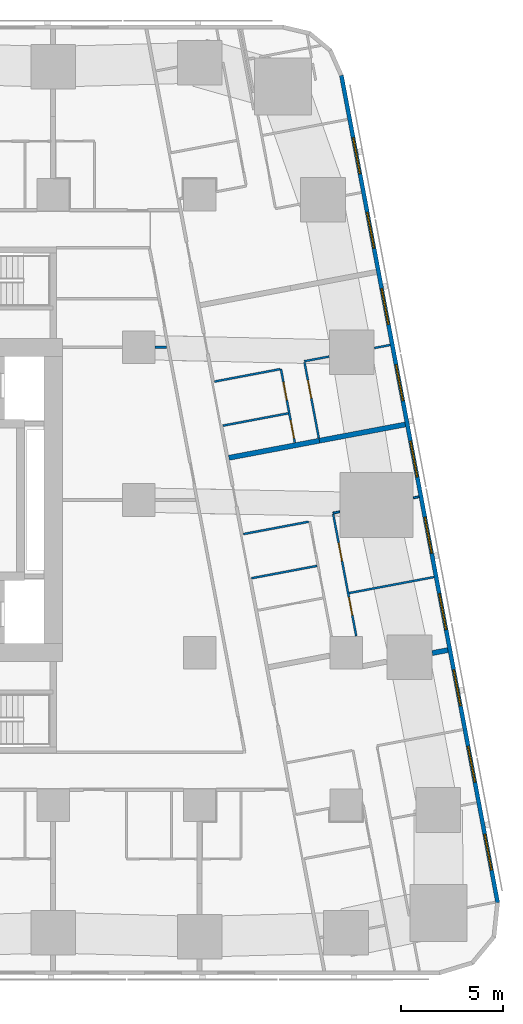
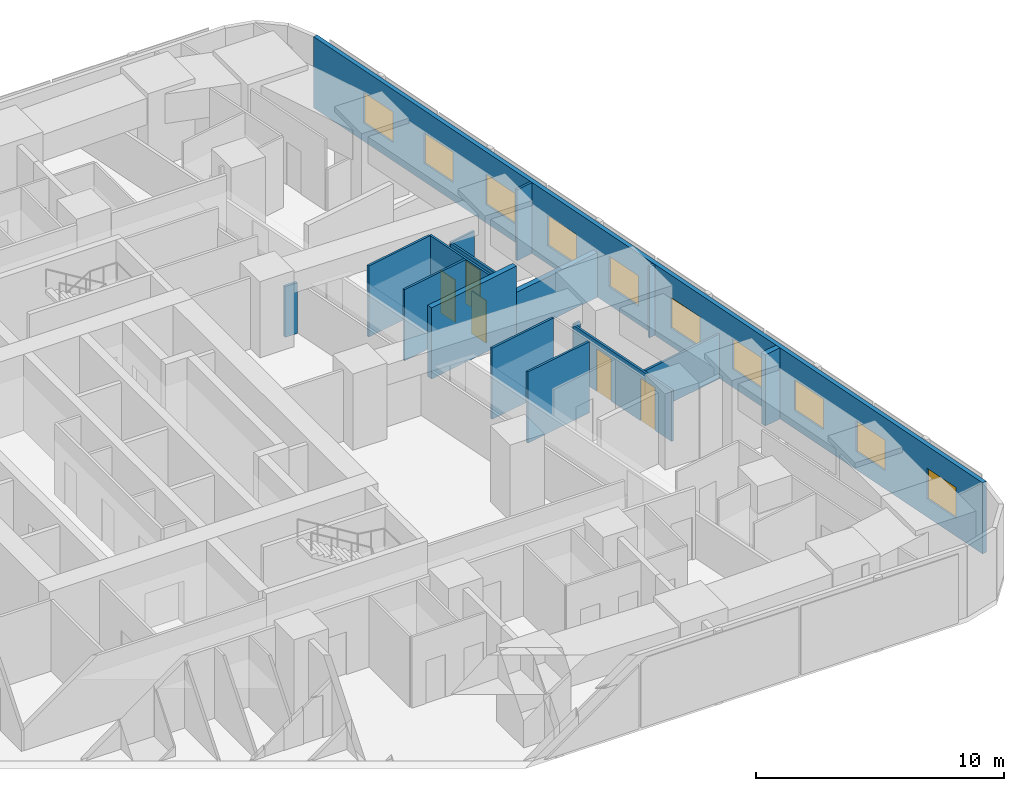
# One storey, part 7 of 14: 17 walls, 10 windows, 5 doors, 15 openings.
"""IFC4 building model written with IfcOpenShell, lengths in metres."""

from ifc_helpers import new_model, si_unit, direction, frame, frame_2d, origin, place, context, subcontext, project, spatial, rectangle, extrude, material, layer, layer_set, type_object, element, fill, save


model = new_model("IFC4")

# Units and contexts
model_context = context("Model", 3, precision=1e-05, world=origin(), true_north=direction((0.0, 1.0)))
body_context = subcontext(model_context, "Body", "Model", "MODEL_VIEW")
ifc_project = project(units=[si_unit("LENGTHUNIT", "METRE"), si_unit("AREAUNIT", "SQUARE_METRE"), si_unit("VOLUMEUNIT", "CUBIC_METRE"), si_unit("PLANEANGLEUNIT", "RADIAN"), si_unit("MASSUNIT", "GRAM", prefix="KILO")], contexts=[model_context])

# Site, building, storey
site_placement = place(None, origin())
site = spatial("IfcSite", under=ifc_project, at=site_placement, CompositionType="ELEMENT")
building_placement = place(site_placement, origin())
building = spatial("IfcBuilding", under=site, at=building_placement, Name="Sheger Commons Tower", CompositionType="ELEMENT")
storey_placement = place(building_placement, frame((0.0, 0.0, 122.89990234375)))
storey = spatial("IfcBuildingStorey", under=building, at=storey_placement, Name="L31", CompositionType="ELEMENT", Elevation=122.89990234375)

# Walls
ifc_material_1 = material(Name="Dense concrete block masonry, plastered both sides (separating wall between flats)", Category="masonry")
ifc_layer_1 = layer(ifc_material_1, 0.25)
ifc_layer_set_1 = layer_set([ifc_layer_1], Name="DEMISING WALL 250")
wall_type_1 = type_object("IfcWallType", Name="DEMISING WALL 250", PredefinedType="SOLIDWALL", material=ifc_layer_set_1)
wall_1_placement = place(storey_placement, frame((46.110107421875, 26.212890625, 0.0), z_axis=(0.0, 0.0, 1.0), x_axis=(-0.982633535512, -0.185556823879, 0.0)))
element("IfcWall", 1, at=wall_1_placement, inside=storey, type_object=wall_type_1, Name="Demising wall L31", PredefinedType="SOLIDWALL", context=body_context, shape_type="SweptSolid", body=[
    extrude(rectangle(XDim=4.2998046875, YDim=0.25, at=frame_2d((2.14990234375, 0.0))), origin(), (0.0, 0.0, 1.0), 2.2001953125),
])
wall_2_placement = place(storey_placement, frame((41.885009765625, 25.4150390625, 0.0), z_axis=(0.0, 0.0, 1.0), x_axis=(-0.982612837616, -0.185666398014, 0.0)))
element("IfcWall", 2, at=wall_2_placement, inside=storey, type_object=wall_type_1, Name="Demising wall L31", PredefinedType="SOLIDWALL", context=body_context, shape_type="SweptSolid", body=[
    extrude(rectangle(XDim=4.524658203125, YDim=0.25, at=frame_2d((2.26220703125, 0.0))), origin(), (0.0, 0.0, 1.0), 3.5),
])
wall_3_placement = place(storey_placement, frame((48.2060546875, 15.1201171875, 0.0), z_axis=(0.0, 0.0, 1.0), x_axis=(-0.982638023929, -0.185533053469, 0.0)))
element("IfcWall", 3, at=wall_3_placement, inside=storey, type_object=wall_type_1, Name="Demising wall L31", PredefinedType="SOLIDWALL", context=body_context, shape_type="SweptSolid", body=[
    extrude(rectangle(XDim=0.78173828125, YDim=0.25, at=frame_2d((0.390869140625, 0.0))), origin(), (0.0, 0.0, 1.0), 3.5),
])

# Wall, openings, windows
ifc_material_2 = material(Name="Rendered concrete block masonry, dark grey", Category="masonry")
ifc_layer_2 = layer(ifc_material_2, 0.199951171875)
ifc_layer_set_2 = layer_set([ifc_layer_2], Name="FACADE WALL 200")
wall_type_2 = type_object("IfcWallType", Name="FACADE WALL 200", PredefinedType="SOLIDWALL", material=ifc_layer_set_2)
wall_4_placement = place(storey_placement, frame((50.653076171875, 2.702880859375, 0.0), z_axis=(0.0, 0.0, 1.0), x_axis=(-0.185612026696, 0.982623109613, 0.0)))
wall_4 = element("IfcWall", 4, at=wall_4_placement, inside=storey, type_object=wall_type_2, Name="Facade wall L31", PredefinedType="SOLIDWALL", context=body_context, shape_type="SweptSolid", body=[
    extrude(rectangle(XDim=41.393310546875, YDim=0.199951171875, at=frame_2d((20.69677734375, 0.0))), origin(), (0.0, 0.0, 1.0), 3.5),
])
opening_1_placement = place(wall_4_placement, frame((1.633056640625, 0.0, 0.89990234375)))
opening_1 = element("IfcOpeningElement", 5, at=opening_1_placement, cuts=wall_4, Name="Opening W2", PredefinedType="OPENING", context=body_context, shape_type="SweptSolid", body=[
    extrude(rectangle(XDim=1.800048828125, YDim=1.5, at=frame_2d((0.89990234375, 0.75))), frame((0.0, 0.10986328125, 0.0), z_axis=(0.0, -1.0, 0.0), x_axis=(1.0, 0.0, 0.0)), (0.0, 0.0, 1.0), 0.219970703125),
])
opening_2_placement = place(wall_4_placement, frame((6.031982421875, 0.0, 0.89990234375)))
opening_2 = element("IfcOpeningElement", 6, at=opening_2_placement, cuts=wall_4, Name="Opening W2", PredefinedType="OPENING", context=body_context, shape_type="SweptSolid", body=[
    extrude(rectangle(XDim=1.800048828125, YDim=1.5, at=frame_2d((0.89990234375, 0.75))), frame((0.0, 0.10986328125, 0.0), z_axis=(0.0, -1.0, 0.0), x_axis=(1.0, 0.0, 0.0)), (0.0, 0.0, 1.0), 0.219970703125),
])
opening_3_placement = place(wall_4_placement, frame((9.847900390625, 0.0, 0.89990234375)))
opening_3 = element("IfcOpeningElement", 7, at=opening_3_placement, cuts=wall_4, Name="Opening W2", PredefinedType="OPENING", context=body_context, shape_type="SweptSolid", body=[
    extrude(rectangle(XDim=1.800048828125, YDim=1.5, at=frame_2d((0.89990234375, 0.75))), frame((0.0, 0.10986328125, 0.0), z_axis=(0.0, -1.0, 0.0), x_axis=(1.0, 0.0, 0.0)), (0.0, 0.0, 1.0), 0.219970703125),
])
opening_4_placement = place(wall_4_placement, frame((13.6640625, 0.0, 0.89990234375)))
opening_4 = element("IfcOpeningElement", 8, at=opening_4_placement, cuts=wall_4, Name="Opening W2", PredefinedType="OPENING", context=body_context, shape_type="SweptSolid", body=[
    extrude(rectangle(XDim=1.800048828125, YDim=1.5, at=frame_2d((0.89990234375, 0.75))), frame((0.0, 0.10986328125, 0.0), z_axis=(0.0, -1.0, 0.0), x_axis=(1.0, 0.0, 0.0)), (0.0, 0.0, 1.0), 0.219970703125),
])
opening_5_placement = place(wall_4_placement, frame((17.48095703125, 0.0, 0.89990234375)))
opening_5 = element("IfcOpeningElement", 9, at=opening_5_placement, cuts=wall_4, Name="Opening W2", PredefinedType="OPENING", context=body_context, shape_type="SweptSolid", body=[
    extrude(rectangle(XDim=1.800048828125, YDim=1.5, at=frame_2d((0.89990234375, 0.75))), frame((0.0, 0.10986328125, 0.0), z_axis=(0.0, -1.0, 0.0), x_axis=(1.0, 0.0, 0.0)), (0.0, 0.0, 1.0), 0.219970703125),
])
opening_6_placement = place(wall_4_placement, frame((21.297119140625, 0.0, 0.89990234375)))
opening_6 = element("IfcOpeningElement", 10, at=opening_6_placement, cuts=wall_4, Name="Opening W2", PredefinedType="OPENING", context=body_context, shape_type="SweptSolid", body=[
    extrude(rectangle(XDim=1.800048828125, YDim=1.5, at=frame_2d((0.89990234375, 0.75))), frame((0.0, 0.10986328125, 0.0), z_axis=(0.0, -1.0, 0.0), x_axis=(1.0, 0.0, 0.0)), (0.0, 0.0, 1.0), 0.219970703125),
])
opening_7_placement = place(wall_4_placement, frame((25.113037109375, 0.0, 0.89990234375)))
opening_7 = element("IfcOpeningElement", 11, at=opening_7_placement, cuts=wall_4, Name="Opening W2", PredefinedType="OPENING", context=body_context, shape_type="SweptSolid", body=[
    extrude(rectangle(XDim=1.800048828125, YDim=1.5, at=frame_2d((0.89990234375, 0.75))), frame((0.0, 0.10986328125, 0.0), z_axis=(0.0, -1.0, 0.0), x_axis=(1.0, 0.0, 0.0)), (0.0, 0.0, 1.0), 0.219970703125),
])
opening_8_placement = place(wall_4_placement, frame((28.929931640625, 0.0, 0.89990234375)))
opening_8 = element("IfcOpeningElement", 12, at=opening_8_placement, cuts=wall_4, Name="Opening W2", PredefinedType="OPENING", context=body_context, shape_type="SweptSolid", body=[
    extrude(rectangle(XDim=1.800048828125, YDim=1.5, at=frame_2d((0.89990234375, 0.75))), frame((0.0, 0.10986328125, 0.0), z_axis=(0.0, -1.0, 0.0), x_axis=(1.0, 0.0, 0.0)), (0.0, 0.0, 1.0), 0.219970703125),
])
opening_9_placement = place(wall_4_placement, frame((32.74609375, 0.0, 0.89990234375)))
opening_9 = element("IfcOpeningElement", 13, at=opening_9_placement, cuts=wall_4, Name="Opening W2", PredefinedType="OPENING", context=body_context, shape_type="SweptSolid", body=[
    extrude(rectangle(XDim=1.800048828125, YDim=1.5, at=frame_2d((0.89990234375, 0.75))), frame((0.0, 0.10986328125, 0.0), z_axis=(0.0, -1.0, 0.0), x_axis=(1.0, 0.0, 0.0)), (0.0, 0.0, 1.0), 0.219970703125),
])
opening_10_placement = place(wall_4_placement, frame((36.48095703125, 0.0, 0.89990234375)))
opening_10 = element("IfcOpeningElement", 14, at=opening_10_placement, cuts=wall_4, Name="Opening W2", PredefinedType="OPENING", context=body_context, shape_type="SweptSolid", body=[
    extrude(rectangle(XDim=1.800048828125, YDim=1.5, at=frame_2d((0.89990234375, 0.75))), frame((0.0, 0.10986328125, 0.0), z_axis=(0.0, -1.0, 0.0), x_axis=(1.0, 0.0, 0.0)), (0.0, 0.0, 1.0), 0.219970703125),
])
ifc_material_3 = material(Name="Black aluminium frame, dark tinted double glazing", Category="aluminium")
window_type = type_object("IfcWindowType", Name="WINDOW W2 1800x1500", PartitioningType="SINGLE_PANEL", PredefinedType="WINDOW", material=ifc_material_3)
window_1_placement = place(opening_1_placement, origin())
window_1 = element("IfcWindow", 15, at=window_1_placement, inside=storey, type_object=window_type, Name="Window W2 1800X1500", OverallHeight=1.5, OverallWidth=1.800048828125, PartitioningType="SINGLE_PANEL", PredefinedType="WINDOW", context=body_context, shape_type="SweptSolid", body=[
    extrude(rectangle(XDim=1.800048828125, YDim=1.5, at=frame_2d((0.89990234375, 0.75))), frame((0.0, 0.030029296875, 0.0), z_axis=(0.0, -1.0, 0.0), x_axis=(1.0, 0.0, 0.0)), (0.0, 0.0, 1.0), 0.06005859375),
])
fill(opening_1, window_1)
window_2_placement = place(opening_2_placement, origin())
window_2 = element("IfcWindow", 16, at=window_2_placement, inside=storey, type_object=window_type, Name="Window W2 1800X1500", OverallHeight=1.5, OverallWidth=1.800048828125, PartitioningType="SINGLE_PANEL", PredefinedType="WINDOW", context=body_context, shape_type="SweptSolid", body=[
    extrude(rectangle(XDim=1.800048828125, YDim=1.5, at=frame_2d((0.89990234375, 0.75))), frame((0.0, 0.030029296875, 0.0), z_axis=(0.0, -1.0, 0.0), x_axis=(1.0, 0.0, 0.0)), (0.0, 0.0, 1.0), 0.06005859375),
])
fill(opening_2, window_2)
window_3_placement = place(opening_3_placement, origin())
window_3 = element("IfcWindow", 17, at=window_3_placement, inside=storey, type_object=window_type, Name="Window W2 1800X1500", OverallHeight=1.5, OverallWidth=1.800048828125, PartitioningType="SINGLE_PANEL", PredefinedType="WINDOW", context=body_context, shape_type="SweptSolid", body=[
    extrude(rectangle(XDim=1.800048828125, YDim=1.5, at=frame_2d((0.89990234375, 0.75))), frame((0.0, 0.030029296875, 0.0), z_axis=(0.0, -1.0, 0.0), x_axis=(1.0, 0.0, 0.0)), (0.0, 0.0, 1.0), 0.06005859375),
])
fill(opening_3, window_3)
window_4_placement = place(opening_4_placement, origin())
window_4 = element("IfcWindow", 18, at=window_4_placement, inside=storey, type_object=window_type, Name="Window W2 1800X1500", OverallHeight=1.5, OverallWidth=1.800048828125, PartitioningType="SINGLE_PANEL", PredefinedType="WINDOW", context=body_context, shape_type="SweptSolid", body=[
    extrude(rectangle(XDim=1.800048828125, YDim=1.5, at=frame_2d((0.89990234375, 0.75))), frame((0.0, 0.030029296875, 0.0), z_axis=(0.0, -1.0, 0.0), x_axis=(1.0, 0.0, 0.0)), (0.0, 0.0, 1.0), 0.06005859375),
])
fill(opening_4, window_4)
window_5_placement = place(opening_5_placement, origin())
window_5 = element("IfcWindow", 19, at=window_5_placement, inside=storey, type_object=window_type, Name="Window W2 1800X1500", OverallHeight=1.5, OverallWidth=1.800048828125, PartitioningType="SINGLE_PANEL", PredefinedType="WINDOW", context=body_context, shape_type="SweptSolid", body=[
    extrude(rectangle(XDim=1.800048828125, YDim=1.5, at=frame_2d((0.89990234375, 0.75))), frame((0.0, 0.030029296875, 0.0), z_axis=(0.0, -1.0, 0.0), x_axis=(1.0, 0.0, 0.0)), (0.0, 0.0, 1.0), 0.06005859375),
])
fill(opening_5, window_5)
window_6_placement = place(opening_6_placement, origin())
window_6 = element("IfcWindow", 20, at=window_6_placement, inside=storey, type_object=window_type, Name="Window W2 1800X1500", OverallHeight=1.5, OverallWidth=1.800048828125, PartitioningType="SINGLE_PANEL", PredefinedType="WINDOW", context=body_context, shape_type="SweptSolid", body=[
    extrude(rectangle(XDim=1.800048828125, YDim=1.5, at=frame_2d((0.89990234375, 0.75))), frame((0.0, 0.030029296875, 0.0), z_axis=(0.0, -1.0, 0.0), x_axis=(1.0, 0.0, 0.0)), (0.0, 0.0, 1.0), 0.06005859375),
])
fill(opening_6, window_6)
window_7_placement = place(opening_7_placement, origin())
window_7 = element("IfcWindow", 21, at=window_7_placement, inside=storey, type_object=window_type, Name="Window W2 1800X1500", OverallHeight=1.5, OverallWidth=1.800048828125, PartitioningType="SINGLE_PANEL", PredefinedType="WINDOW", context=body_context, shape_type="SweptSolid", body=[
    extrude(rectangle(XDim=1.800048828125, YDim=1.5, at=frame_2d((0.89990234375, 0.75))), frame((0.0, 0.030029296875, 0.0), z_axis=(0.0, -1.0, 0.0), x_axis=(1.0, 0.0, 0.0)), (0.0, 0.0, 1.0), 0.06005859375),
])
fill(opening_7, window_7)
window_8_placement = place(opening_8_placement, origin())
window_8 = element("IfcWindow", 22, at=window_8_placement, inside=storey, type_object=window_type, Name="Window W2 1800X1500", OverallHeight=1.5, OverallWidth=1.800048828125, PartitioningType="SINGLE_PANEL", PredefinedType="WINDOW", context=body_context, shape_type="SweptSolid", body=[
    extrude(rectangle(XDim=1.800048828125, YDim=1.5, at=frame_2d((0.89990234375, 0.75))), frame((0.0, 0.030029296875, 0.0), z_axis=(0.0, -1.0, 0.0), x_axis=(1.0, 0.0, 0.0)), (0.0, 0.0, 1.0), 0.06005859375),
])
fill(opening_8, window_8)
window_9_placement = place(opening_9_placement, origin())
window_9 = element("IfcWindow", 23, at=window_9_placement, inside=storey, type_object=window_type, Name="Window W2 1800X1500", OverallHeight=1.5, OverallWidth=1.800048828125, PartitioningType="SINGLE_PANEL", PredefinedType="WINDOW", context=body_context, shape_type="SweptSolid", body=[
    extrude(rectangle(XDim=1.800048828125, YDim=1.5, at=frame_2d((0.89990234375, 0.75))), frame((0.0, 0.030029296875, 0.0), z_axis=(0.0, -1.0, 0.0), x_axis=(1.0, 0.0, 0.0)), (0.0, 0.0, 1.0), 0.06005859375),
])
fill(opening_9, window_9)
window_10_placement = place(opening_10_placement, origin())
window_10 = element("IfcWindow", 24, at=window_10_placement, inside=storey, type_object=window_type, Name="Window W2 1800X1500", OverallHeight=1.5, OverallWidth=1.800048828125, PartitioningType="SINGLE_PANEL", PredefinedType="WINDOW", context=body_context, shape_type="SweptSolid", body=[
    extrude(rectangle(XDim=1.800048828125, YDim=1.5, at=frame_2d((0.89990234375, 0.75))), frame((0.0, 0.030029296875, 0.0), z_axis=(0.0, -1.0, 0.0), x_axis=(1.0, 0.0, 0.0)), (0.0, 0.0, 1.0), 0.06005859375),
])
fill(opening_10, window_10)

# Wall, opening, door
ifc_material_4 = material(Name="Gypsum board on steel studs", Category="steel")
ifc_layer_3 = layer(ifc_material_4, 0.10009765625)
ifc_layer_set_3 = layer_set([ifc_layer_3], Name="PARTITION 100")
wall_type_3 = type_object("IfcWallType", Name="PARTITION 100", PredefinedType="PARTITIONING", material=ifc_layer_set_3)
wall_5_placement = place(storey_placement, frame((41.156005859375, 29.27294921875, 0.0), z_axis=(0.0, 0.0, 1.0), x_axis=(0.185474762472, -0.982649028131, 0.0)))
wall_5 = element("IfcWall", 25, at=wall_5_placement, inside=storey, type_object=wall_type_3, Name="Partition L31", PredefinedType="PARTITIONING", context=body_context, shape_type="SweptSolid", body=[
    extrude(rectangle(XDim=3.78955078125, YDim=0.10009765625, at=frame_2d((1.894775390625, 0.0))), origin(), (0.0, 0.0, 1.0), 2.5),
])
opening_11_placement = place(wall_5_placement, frame((0.89990234375, 0.0, 0.0)))
opening_11 = element("IfcOpeningElement", 26, at=opening_11_placement, cuts=wall_5, Name="Opening D2", PredefinedType="OPENING", context=body_context, shape_type="SweptSolid", body=[
    extrude(rectangle(XDim=0.89990234375, YDim=2.10009765625, at=frame_2d((0.449951171875, 1.050048828125))), frame((0.0, 0.06005859375, 0.0), z_axis=(0.0, -1.0, 0.0), x_axis=(1.0, 0.0, 0.0)), (0.0, 0.0, 1.0), 0.1201171875),
])
ifc_material_5 = material(Name="Timber door set", Category="wood")
door_type = type_object("IfcDoorType", Name="INTERNAL DOOR 900x2100", OperationType="NOTDEFINED", PredefinedType="DOOR", material=ifc_material_5)
door_1_placement = place(opening_11_placement, origin())
door_1 = element("IfcDoor", 27, at=door_1_placement, inside=storey, type_object=door_type, Name="Main bedroom door", OperationType="SINGLE_SWING_LEFT", OverallHeight=2.10009765625, OverallWidth=0.89990234375, PredefinedType="DOOR", context=body_context, shape_type="SweptSolid", body=[
    extrude(rectangle(XDim=0.89990234375, YDim=2.10009765625, at=frame_2d((0.449951171875, 1.050048828125))), frame((0.0, 0.02490234375, 0.0), z_axis=(0.0, -1.0, 0.0), x_axis=(1.0, 0.0, 0.0)), (0.0, 0.0, 1.0), 0.050048828125),
])
fill(opening_11, door_1)

# Wall, openings, doors
wall_6_placement = place(storey_placement, frame((39.9970703125, 28.94189453125, 0.0), z_axis=(0.0, 0.0, 1.0), x_axis=(0.185580474845, -0.982629069057, 0.0)))
wall_6 = element("IfcWall", 28, at=wall_6_placement, inside=storey, type_object=wall_type_3, Name="Partition L31", PredefinedType="PARTITIONING", context=body_context, shape_type="SweptSolid", body=[
    extrude(rectangle(XDim=3.684814453125, YDim=0.10009765625, at=frame_2d((1.84228515625, 0.0))), origin(), (0.0, 0.0, 1.0), 3.5),
])
opening_12_placement = place(wall_6_placement, frame((0.655029296875, 0.0, 0.0)))
opening_12 = element("IfcOpeningElement", 29, at=opening_12_placement, cuts=wall_6, Name="Opening D2", PredefinedType="OPENING", context=body_context, shape_type="SweptSolid", body=[
    extrude(rectangle(XDim=0.89990234375, YDim=2.10009765625, at=frame_2d((0.449951171875, 1.050048828125))), frame((0.0, 0.06005859375, 0.0), z_axis=(0.0, -1.0, 0.0), x_axis=(1.0, 0.0, 0.0)), (0.0, 0.0, 1.0), 0.1201171875),
])
opening_13_placement = place(wall_6_placement, frame((2.56298828125, 0.0, 0.0)))
opening_13 = element("IfcOpeningElement", 30, at=opening_13_placement, cuts=wall_6, Name="Opening D2", PredefinedType="OPENING", context=body_context, shape_type="SweptSolid", body=[
    extrude(rectangle(XDim=0.89990234375, YDim=2.10009765625, at=frame_2d((0.449951171875, 1.050048828125))), frame((0.0, 0.06005859375, 0.0), z_axis=(0.0, -1.0, 0.0), x_axis=(1.0, 0.0, 0.0)), (0.0, 0.0, 1.0), 0.1201171875),
])
door_2_placement = place(opening_12_placement, origin())
door_2 = element("IfcDoor", 31, at=door_2_placement, inside=storey, type_object=door_type, Name="Bathroom door", OperationType="SINGLE_SWING_RIGHT", OverallHeight=2.10009765625, OverallWidth=0.89990234375, PredefinedType="DOOR", context=body_context, shape_type="SweptSolid", body=[
    extrude(rectangle(XDim=0.89990234375, YDim=2.10009765625, at=frame_2d((0.449951171875, 1.050048828125))), frame((0.0, 0.02490234375, 0.0), z_axis=(0.0, -1.0, 0.0), x_axis=(1.0, 0.0, 0.0)), (0.0, 0.0, 1.0), 0.050048828125),
])
fill(opening_12, door_2)
door_3_placement = place(opening_13_placement, origin())
door_3 = element("IfcDoor", 32, at=door_3_placement, inside=storey, type_object=door_type, Name="Store door", OperationType="SINGLE_SWING_LEFT", OverallHeight=2.10009765625, OverallWidth=0.89990234375, PredefinedType="DOOR", context=body_context, shape_type="SweptSolid", body=[
    extrude(rectangle(XDim=0.89990234375, YDim=2.10009765625, at=frame_2d((0.449951171875, 1.050048828125))), frame((0.0, 0.02490234375, 0.0), z_axis=(0.0, -1.0, 0.0), x_axis=(1.0, 0.0, 0.0)), (0.0, 0.0, 1.0), 0.050048828125),
])
fill(opening_13, door_3)

# Walls
wall_7_placement = place(storey_placement, frame((45.3720703125, 30.12109375, 0.0), z_axis=(0.0, 0.0, 1.0), x_axis=(-0.982512656401, -0.186195810938, 0.0)))
element("IfcWall", 33, at=wall_7_placement, inside=storey, type_object=wall_type_3, Name="Partition L31", PredefinedType="PARTITIONING", context=body_context, shape_type="SweptSolid", body=[
    extrude(rectangle(XDim=0.7958984375, YDim=0.10009765625, at=frame_2d((0.39794921875, 0.0))), origin(), (0.0, 0.0, 1.0), 3.5),
])
wall_8_placement = place(storey_placement, frame((42.3701171875, 29.552978515625, 0.0), z_axis=(0.0, 0.0, 1.0), x_axis=(-0.98263602344, -0.185543648338, 0.0)))
element("IfcWall", 34, at=wall_8_placement, inside=storey, type_object=wall_type_3, Name="Partition L31", PredefinedType="PARTITIONING", context=body_context, shape_type="SweptSolid", body=[
    extrude(rectangle(XDim=1.244873046875, YDim=0.10009765625, at=frame_2d((0.62255859375, 0.0))), origin(), (0.0, 0.0, 1.0), 2.5),
])
wall_9_placement = place(storey_placement, frame((39.947998046875, 28.93310546875, 0.0), z_axis=(0.0, 0.0, 1.0), x_axis=(-0.982542259571, -0.186039533857, 0.0)))
element("IfcWall", 35, at=wall_9_placement, inside=storey, type_object=wall_type_3, Name="Partition L31", PredefinedType="PARTITIONING", context=body_context, shape_type="SweptSolid", body=[
    extrude(rectangle(XDim=3.274169921875, YDim=0.10009765625, at=frame_2d((1.63720703125, 0.0))), origin(), (0.0, 0.0, 1.0), 3.5),
])
wall_10_placement = place(storey_placement, frame((40.35791015625, 26.760986328125, 0.0), z_axis=(0.0, 0.0, 1.0), x_axis=(-0.982607776398, -0.185693181787, 0.0)))
element("IfcWall", 36, at=wall_10_placement, inside=storey, type_object=wall_type_3, Name="Partition L31", PredefinedType="PARTITIONING", context=body_context, shape_type="SweptSolid", body=[
    extrude(rectangle(XDim=3.273681640625, YDim=0.10009765625, at=frame_2d((1.63671875, 0.0))), origin(), (0.0, 0.0, 1.0), 3.5),
])

# Wall, openings, doors
wall_11_placement = place(storey_placement, frame((42.56591796875, 21.80908203125, 0.0), z_axis=(0.0, 0.0, 1.0), x_axis=(0.18559218796, -0.982626856832, 0.0)))
wall_11 = element("IfcWall", 37, at=wall_11_placement, inside=storey, type_object=wall_type_3, Name="Partition L31", PredefinedType="PARTITIONING", context=body_context, shape_type="SweptSolid", body=[
    extrude(rectangle(XDim=6.10498046875, YDim=0.10009765625, at=frame_2d((3.052490234375, 0.0))), origin(), (0.0, 0.0, 1.0), 2.5),
])
opening_14_placement = place(wall_11_placement, frame((1.449951171875, 0.0, 0.0)))
opening_14 = element("IfcOpeningElement", 38, at=opening_14_placement, cuts=wall_11, Name="Opening D2", PredefinedType="OPENING", context=body_context, shape_type="SweptSolid", body=[
    extrude(rectangle(XDim=0.89990234375, YDim=2.10009765625, at=frame_2d((0.449951171875, 1.050048828125))), frame((0.0, 0.06005859375, 0.0), z_axis=(0.0, -1.0, 0.0), x_axis=(1.0, 0.0, 0.0)), (0.0, 0.0, 1.0), 0.1201171875),
])
opening_15_placement = place(wall_11_placement, frame((4.1630859375, 0.0, 0.0)))
opening_15 = element("IfcOpeningElement", 39, at=opening_15_placement, cuts=wall_11, Name="Opening D2", PredefinedType="OPENING", context=body_context, shape_type="SweptSolid", body=[
    extrude(rectangle(XDim=0.89990234375, YDim=2.10009765625, at=frame_2d((0.449951171875, 1.050048828125))), frame((0.0, 0.06005859375, 0.0), z_axis=(0.0, -1.0, 0.0), x_axis=(1.0, 0.0, 0.0)), (0.0, 0.0, 1.0), 0.1201171875),
])
door_4_placement = place(opening_14_placement, origin())
door_4 = element("IfcDoor", 40, at=door_4_placement, inside=storey, type_object=door_type, Name="Main bedroom door", OperationType="SINGLE_SWING_LEFT", OverallHeight=2.10009765625, OverallWidth=0.89990234375, PredefinedType="DOOR", context=body_context, shape_type="SweptSolid", body=[
    extrude(rectangle(XDim=0.89990234375, YDim=2.10009765625, at=frame_2d((0.449951171875, 1.050048828125))), frame((0.0, 0.02490234375, 0.0), z_axis=(0.0, -1.0, 0.0), x_axis=(1.0, 0.0, 0.0)), (0.0, 0.0, 1.0), 0.050048828125),
])
fill(opening_14, door_4)
door_5_placement = place(opening_15_placement, origin())
door_5 = element("IfcDoor", 41, at=door_5_placement, inside=storey, type_object=door_type, Name="Bedroom 2 door", OperationType="SINGLE_SWING_LEFT", OverallHeight=2.10009765625, OverallWidth=0.89990234375, PredefinedType="DOOR", context=body_context, shape_type="SweptSolid", body=[
    extrude(rectangle(XDim=0.89990234375, YDim=2.10009765625, at=frame_2d((0.449951171875, 1.050048828125))), frame((0.0, 0.02490234375, 0.0), z_axis=(0.0, -1.0, 0.0), x_axis=(1.0, 0.0, 0.0)), (0.0, 0.0, 1.0), 0.050048828125),
])
fill(opening_15, door_5)

# Walls
wall_12_placement = place(storey_placement, frame((46.781982421875, 22.656982421875, 0.0), z_axis=(0.0, 0.0, 1.0), x_axis=(-0.982574553168, -0.185868898601, 0.0)))
element("IfcWall", 42, at=wall_12_placement, inside=storey, type_object=wall_type_3, Name="Partition L31", PredefinedType="PARTITIONING", context=body_context, shape_type="SweptSolid", body=[
    extrude(rectangle(XDim=0.27978515625, YDim=0.10009765625, at=frame_2d((0.139892578125, 0.0))), origin(), (0.0, 0.0, 1.0), 3.5),
])
wall_13_placement = place(storey_placement, frame((42.886962890625, 21.9208984375, 0.0), z_axis=(0.0, 0.0, 1.0), x_axis=(-0.982274918032, -0.187445953293, 0.0)))
element("IfcWall", 43, at=wall_13_placement, inside=storey, type_object=wall_type_3, Name="Partition L31", PredefinedType="PARTITIONING", context=body_context, shape_type="SweptSolid", body=[
    extrude(rectangle(XDim=0.3359375, YDim=0.10009765625, at=frame_2d((0.16796875, 0.0))), origin(), (0.0, 0.0, 1.0), 2.5),
])
wall_14_placement = place(storey_placement, frame((47.527099609375, 18.7119140625, 0.0), z_axis=(0.0, 0.0, 1.0), x_axis=(-0.982665405803, -0.185387972203, 0.0)))
element("IfcWall", 44, at=wall_14_placement, inside=storey, type_object=wall_type_3, Name="Partition L31", PredefinedType="PARTITIONING", context=body_context, shape_type="SweptSolid", body=[
    extrude(rectangle(XDim=4.249755859375, YDim=0.10009765625, at=frame_2d((2.125, 0.0))), origin(), (0.0, 0.0, 1.0), 2.2001953125),
])
for number, where, z_axis, x_axis, name in (
    (45, (41.364990234375, 21.43310546875, 0.0), (0.0, 0.0, 1.0), (-0.982607026909, -0.185697147715, 0.0), "Partition L31"),
    (46, (41.77490234375, 19.260986328125, 0.0), (0.0, 0.0, 1.0), (-0.982620626894, -0.185625169636, 0.0), "Partition L31"),
):
    element("IfcWall", number, at=place(storey_placement, frame(where, z_axis=z_axis, x_axis=x_axis)), inside=storey, type_object=wall_type_3, Name=name, PredefinedType="PARTITIONING", context=body_context, shape_type="SweptSolid", body=[
        extrude(rectangle(XDim=3.27490234375, YDim=0.10009765625, at=frame_2d((1.637451171875, 0.0))), origin(), (0.0, 0.0, 1.0), 3.5),
    ])
ifc_material_6 = material(Name="Gypsum board on steel studs, two layers each side, fire rated", Category="steel")
ifc_layer_4 = layer(ifc_material_6, 0.125)
ifc_layer_set_4 = layer_set([ifc_layer_4], Name="SERVICE WALL 125")
wall_type_4 = type_object("IfcWallType", Name="SERVICE WALL 125", PredefinedType="PARTITIONING", material=ifc_layer_set_4)
wall_15_placement = place(storey_placement, frame((33.801025390625, 30.0, 0.0), z_axis=(0.0, 0.0, 1.0), x_axis=(1.0, 0.0, 0.0)))
element("IfcWall", 47, at=wall_15_placement, inside=storey, type_object=wall_type_4, Name="Service room wall L31", PredefinedType="PARTITIONING", context=body_context, shape_type="SweptSolid", body=[
    extrude(rectangle(XDim=0.577880859375, YDim=0.125, at=frame_2d((0.2890625, 0.0))), origin(), (0.0, 0.0, 1.0), 2.5),
])

save(model, "model.ifc")
